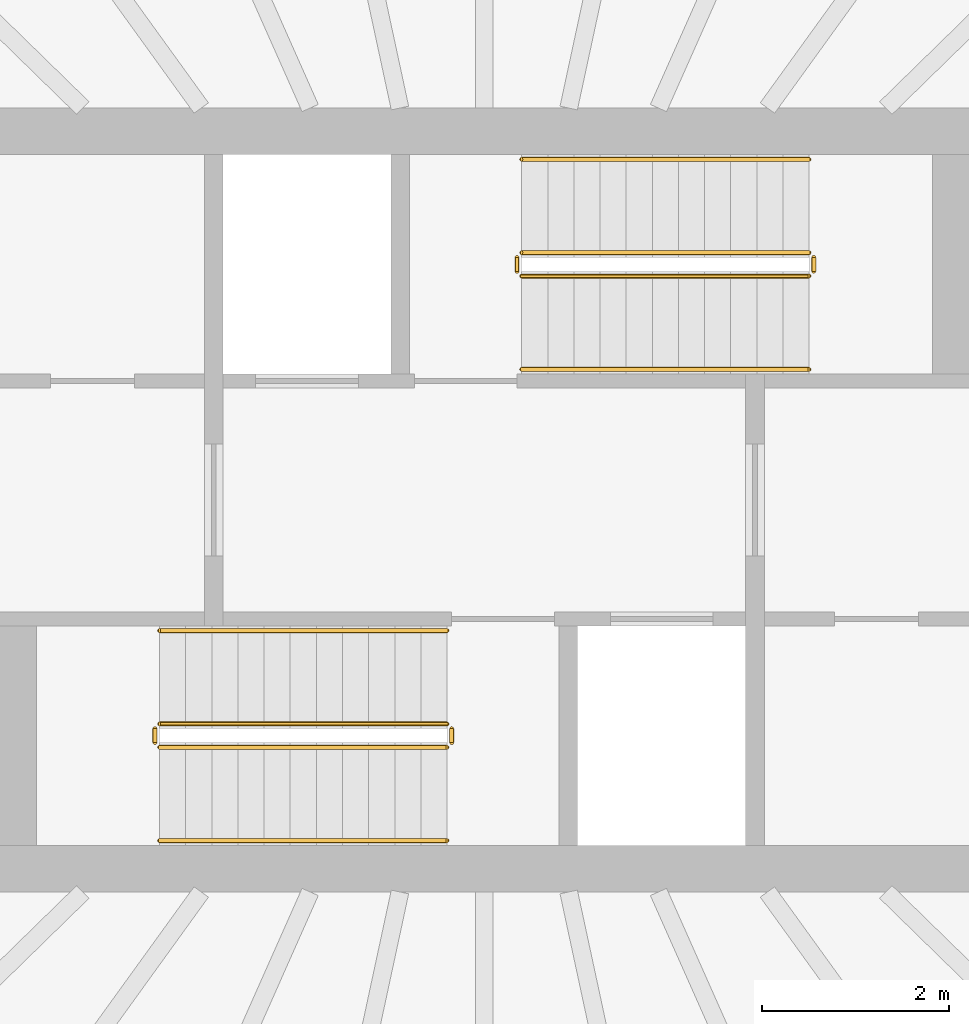
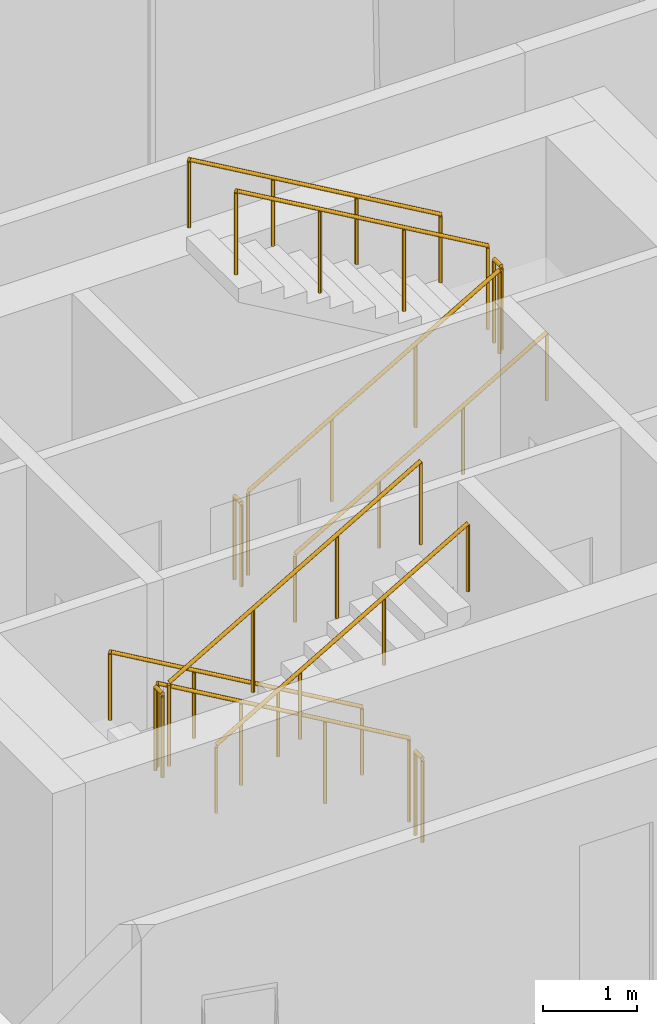
# One storey, part 5 of 5: 12 railings.
"""IFC4 building model written with IfcOpenShell, lengths in metres."""

from ifc_helpers import new_model, si_unit, direction, frame, origin, origin_2d, place, context, subcontext, project, spatial, circle, extrude, material, type_object, element, save


model = new_model("IFC4")

# Units and contexts
model_context = context("Model", 3, precision=1e-05, world=origin(), true_north=direction((0.0, 1.0)))
body_context = subcontext(model_context, "Body", "Model", "MODEL_VIEW")
ifc_project = project(units=[si_unit("LENGTHUNIT", "METRE"), si_unit("AREAUNIT", "SQUARE_METRE"), si_unit("VOLUMEUNIT", "CUBIC_METRE"), si_unit("PLANEANGLEUNIT", "RADIAN"), si_unit("MASSUNIT", "GRAM", prefix="KILO")], contexts=[model_context])

# Site, building, storey
site_placement = place(None, origin())
site = spatial("IfcSite", under=ifc_project, at=site_placement, CompositionType="ELEMENT")
building_placement = place(site_placement, origin())
building = spatial("IfcBuilding", under=site, at=building_placement, Name="Siaravel Broadcast Tower", CompositionType="ELEMENT")
storey_placement = place(building_placement, frame((0.0, 0.0, 284.300048828125)))
storey = spatial("IfcBuildingStorey", under=building, at=storey_placement, Name="L69", CompositionType="ELEMENT", Elevation=284.300048828125)

# Railings
ifc_material = material(Name="Stainless steel 316L", Category="steel")
railing_type_1 = type_object("IfcRailingType", Name="Stair guard 1100", PredefinedType="GUARDRAIL", material=ifc_material)
railing_1_placement = place(storey_placement, frame((0.39990234375, 2.39990234375, 0.162353515625)))
element("IfcRailing", 1, at=railing_1_placement, inside=storey, type_object=railing_type_1, Name="L69 ST-C1 stair guard 1", PredefinedType="GUARDRAIL", context=body_context, shape_type="SweptSolid", body=[
    extrude(circle(Radius=0.02392578125, at=origin_2d()), frame((0.0, 0.0, 1.076171875), z_axis=(0.864890721, 0.0, 0.501960198), x_axis=(0.0, 1.0, 0.0)), (0.0, 0.0, 1.0), 3.561279296875),
    extrude(circle(Radius=0.02099609375, at=origin_2d()), origin(), (0.0, 0.0, 1.0), 1.052001953125),
    extrude(circle(Radius=0.02099609375, at=origin_2d()), frame((1.026611328125, 0.0, 0.595947265625)), (0.0, 0.0, 1.0), 1.052001953125),
    extrude(circle(Radius=0.02099609375, at=origin_2d()), frame((2.053466796875, 0.0, 1.191650390625)), (0.0, 0.0, 1.0), 1.052001953125),
    extrude(circle(Radius=0.02099609375, at=origin_2d()), frame((3.080078125, 0.0, 1.78759765625)), (0.0, 0.0, 1.0), 1.052001953125),
])
railing_2_placement = place(storey_placement, frame((3.530029296875, 2.449951171875, 1.949951171875)))
element("IfcRailing", 2, at=railing_2_placement, inside=storey, type_object=railing_type_1, Name="L69 ST-C1 stair guard 2", PredefinedType="GUARDRAIL", context=body_context, shape_type="SweptSolid", body=[
    extrude(circle(Radius=0.02392578125, at=origin_2d()), frame((0.0, 0.0, 1.076171875), z_axis=(0.0, 1.0, 0.0), x_axis=(-1.0, 0.0, 0.0)), (0.0, 0.0, 1.0), 0.150146484375),
    extrude(circle(Radius=0.02099609375, at=origin_2d()), origin(), (0.0, 0.0, 1.0), 1.052001953125),
    extrude(circle(Radius=0.02099609375, at=origin_2d()), frame((0.0, 0.150146484375, 0.0)), (0.0, 0.0, 1.0), 1.052001953125),
])
railing_3_placement = place(storey_placement, frame((3.47998046875, 2.64990234375, 2.112548828125)))
element("IfcRailing", 3, at=railing_3_placement, inside=storey, type_object=railing_type_1, Name="L69 ST-C1 stair guard 3", PredefinedType="GUARDRAIL", context=body_context, shape_type="SweptSolid", body=[
    extrude(circle(Radius=0.02392578125, at=origin_2d()), frame((0.0, 0.0, 1.076171875), z_axis=(-0.864920483, 0.0, 0.501908914), x_axis=(0.0, -1.0, 0.0)), (0.0, 0.0, 1.0), 3.56103515625),
    extrude(circle(Radius=0.02099609375, at=origin_2d()), origin(), (0.0, 0.0, 1.0), 1.052001953125),
    extrude(circle(Radius=0.02099609375, at=origin_2d()), frame((-1.026611328125, 0.0, 0.595703125)), (0.0, 0.0, 1.0), 1.052001953125),
    extrude(circle(Radius=0.02099609375, at=origin_2d()), frame((-2.053466796875, 0.0, 1.191650390625)), (0.0, 0.0, 1.0), 1.052001953125),
    extrude(circle(Radius=0.02099609375, at=origin_2d()), frame((-3.080078125, 0.0, 1.787353515625)), (0.0, 0.0, 1.0), 1.052001953125),
])
railing_4_placement = place(storey_placement, frame((0.35009765625, 2.449951171875, 0.0)))
element("IfcRailing", 4, at=railing_4_placement, inside=storey, type_object=railing_type_1, Name="L69 ST-C1 stair guard 4", PredefinedType="GUARDRAIL", context=body_context, shape_type="SweptSolid", body=[
    extrude(circle(Radius=0.02392578125, at=origin_2d()), frame((0.0, 0.0, 1.076171875), z_axis=(0.0, 1.0, 0.0), x_axis=(-1.0, 0.0, 0.0)), (0.0, 0.0, 1.0), 0.150146484375),
    extrude(circle(Radius=0.02099609375, at=origin_2d()), origin(), (0.0, 0.0, 1.0), 1.052001953125),
    extrude(circle(Radius=0.02099609375, at=origin_2d()), frame((0.0, 0.150146484375, 0.0)), (0.0, 0.0, 1.0), 1.052001953125),
])
railing_5_placement = place(storey_placement, frame((-0.39990234375, -2.39990234375, 0.162353515625)))
element("IfcRailing", 5, at=railing_5_placement, inside=storey, type_object=railing_type_1, Name="L69 ST-C2 stair guard 1", PredefinedType="GUARDRAIL", context=body_context, shape_type="SweptSolid", body=[
    extrude(circle(Radius=0.02392578125, at=origin_2d()), frame((0.0, 0.0, 1.076171875), z_axis=(-0.864890721, 0.0, 0.501960198), x_axis=(0.0, -1.0, 0.0)), (0.0, 0.0, 1.0), 3.561279296875),
    extrude(circle(Radius=0.02099609375, at=origin_2d()), origin(), (0.0, 0.0, 1.0), 1.052001953125),
    extrude(circle(Radius=0.02099609375, at=origin_2d()), frame((-1.026611328125, 0.0, 0.595947265625)), (0.0, 0.0, 1.0), 1.052001953125),
    extrude(circle(Radius=0.02099609375, at=origin_2d()), frame((-2.053466796875, 0.0, 1.191650390625)), (0.0, 0.0, 1.0), 1.052001953125),
    extrude(circle(Radius=0.02099609375, at=origin_2d()), frame((-3.080078125, 0.0, 1.78759765625)), (0.0, 0.0, 1.0), 1.052001953125),
])
railing_6_placement = place(storey_placement, frame((-3.530029296875, -2.449951171875, 1.949951171875)))
element("IfcRailing", 6, at=railing_6_placement, inside=storey, type_object=railing_type_1, Name="L69 ST-C2 stair guard 2", PredefinedType="GUARDRAIL", context=body_context, shape_type="SweptSolid", body=[
    extrude(circle(Radius=0.02392578125, at=origin_2d()), frame((0.0, 0.0, 1.076171875), z_axis=(0.0, -1.0, 0.0), x_axis=(1.0, 0.0, 0.0)), (0.0, 0.0, 1.0), 0.150146484375),
    extrude(circle(Radius=0.02099609375, at=origin_2d()), origin(), (0.0, 0.0, 1.0), 1.052001953125),
    extrude(circle(Radius=0.02099609375, at=origin_2d()), frame((0.0, -0.150146484375, 0.0)), (0.0, 0.0, 1.0), 1.052001953125),
])
railing_7_placement = place(storey_placement, frame((-3.47998046875, -2.64990234375, 2.112548828125)))
element("IfcRailing", 7, at=railing_7_placement, inside=storey, type_object=railing_type_1, Name="L69 ST-C2 stair guard 3", PredefinedType="GUARDRAIL", context=body_context, shape_type="SweptSolid", body=[
    extrude(circle(Radius=0.02392578125, at=origin_2d()), frame((0.0, 0.0, 1.076171875), z_axis=(0.864920483, 0.0, 0.501908914), x_axis=(0.0, 1.0, 0.0)), (0.0, 0.0, 1.0), 3.56103515625),
    extrude(circle(Radius=0.02099609375, at=origin_2d()), origin(), (0.0, 0.0, 1.0), 1.052001953125),
    extrude(circle(Radius=0.02099609375, at=origin_2d()), frame((1.026611328125, 0.0, 0.595703125)), (0.0, 0.0, 1.0), 1.052001953125),
    extrude(circle(Radius=0.02099609375, at=origin_2d()), frame((2.053466796875, 0.0, 1.191650390625)), (0.0, 0.0, 1.0), 1.052001953125),
    extrude(circle(Radius=0.02099609375, at=origin_2d()), frame((3.080078125, 0.0, 1.787353515625)), (0.0, 0.0, 1.0), 1.052001953125),
])
railing_8_placement = place(storey_placement, frame((-0.35009765625, -2.449951171875, 0.0)))
element("IfcRailing", 8, at=railing_8_placement, inside=storey, type_object=railing_type_1, Name="L69 ST-C2 stair guard 4", PredefinedType="GUARDRAIL", context=body_context, shape_type="SweptSolid", body=[
    extrude(circle(Radius=0.02392578125, at=origin_2d()), frame((0.0, 0.0, 1.076171875), z_axis=(0.0, -1.0, 0.0), x_axis=(1.0, 0.0, 0.0)), (0.0, 0.0, 1.0), 0.150146484375),
    extrude(circle(Radius=0.02099609375, at=origin_2d()), origin(), (0.0, 0.0, 1.0), 1.052001953125),
    extrude(circle(Radius=0.02099609375, at=origin_2d()), frame((0.0, -0.150146484375, 0.0)), (0.0, 0.0, 1.0), 1.052001953125),
])
railing_type_2 = type_object("IfcRailingType", Name="Stair handrail 900", PredefinedType="HANDRAIL", material=ifc_material)
railing_9_placement = place(storey_placement, frame((0.39990234375, 1.39990234375, 0.162353515625)))
element("IfcRailing", 9, at=railing_9_placement, inside=storey, type_object=railing_type_2, Name="L69 ST-C1 stair handrail 1", PredefinedType="HANDRAIL", context=body_context, shape_type="SweptSolid", body=[
    extrude(circle(Radius=0.02392578125, at=origin_2d()), frame((0.0, 0.0, 0.8759765625), z_axis=(0.864890721, 0.0, 0.501960198), x_axis=(0.0, 1.0, 0.0)), (0.0, 0.0, 1.0), 3.561279296875),
    extrude(circle(Radius=0.02099609375, at=origin_2d()), origin(), (0.0, 0.0, 1.0), 0.851806640625),
    extrude(circle(Radius=0.02099609375, at=origin_2d()), frame((1.026611328125, 0.0, 0.595947265625)), (0.0, 0.0, 1.0), 0.851806640625),
    extrude(circle(Radius=0.02099609375, at=origin_2d()), frame((2.053466796875, 0.0, 1.191650390625)), (0.0, 0.0, 1.0), 0.851806640625),
    extrude(circle(Radius=0.02099609375, at=origin_2d()), frame((3.080078125, 0.0, 1.78759765625)), (0.0, 0.0, 1.0), 0.851806640625),
])
railing_10_placement = place(storey_placement, frame((3.47998046875, 3.64990234375, 2.112548828125)))
element("IfcRailing", 10, at=railing_10_placement, inside=storey, type_object=railing_type_2, Name="L69 ST-C1 stair handrail 2", PredefinedType="HANDRAIL", context=body_context, shape_type="SweptSolid", body=[
    extrude(circle(Radius=0.02392578125, at=origin_2d()), frame((0.0, 0.0, 0.8759765625), z_axis=(-0.864920483, 0.0, 0.501908914), x_axis=(0.0, -1.0, 0.0)), (0.0, 0.0, 1.0), 3.56103515625),
    extrude(circle(Radius=0.02099609375, at=origin_2d()), origin(), (0.0, 0.0, 1.0), 0.851806640625),
    extrude(circle(Radius=0.02099609375, at=origin_2d()), frame((-1.026611328125, 0.0, 0.595703125)), (0.0, 0.0, 1.0), 0.851806640625),
    extrude(circle(Radius=0.02099609375, at=origin_2d()), frame((-2.053466796875, 0.0, 1.191650390625)), (0.0, 0.0, 1.0), 0.851806640625),
    extrude(circle(Radius=0.02099609375, at=origin_2d()), frame((-3.080078125, 0.0, 1.787353515625)), (0.0, 0.0, 1.0), 0.851806640625),
])
railing_11_placement = place(storey_placement, frame((-0.39990234375, -1.39990234375, 0.162353515625)))
element("IfcRailing", 11, at=railing_11_placement, inside=storey, type_object=railing_type_2, Name="L69 ST-C2 stair handrail 1", PredefinedType="HANDRAIL", context=body_context, shape_type="SweptSolid", body=[
    extrude(circle(Radius=0.02392578125, at=origin_2d()), frame((0.0, 0.0, 0.8759765625), z_axis=(-0.864890721, 0.0, 0.501960198), x_axis=(0.0, -1.0, 0.0)), (0.0, 0.0, 1.0), 3.561279296875),
    extrude(circle(Radius=0.02099609375, at=origin_2d()), origin(), (0.0, 0.0, 1.0), 0.851806640625),
    extrude(circle(Radius=0.02099609375, at=origin_2d()), frame((-1.026611328125, 0.0, 0.595947265625)), (0.0, 0.0, 1.0), 0.851806640625),
    extrude(circle(Radius=0.02099609375, at=origin_2d()), frame((-2.053466796875, 0.0, 1.191650390625)), (0.0, 0.0, 1.0), 0.851806640625),
    extrude(circle(Radius=0.02099609375, at=origin_2d()), frame((-3.080078125, 0.0, 1.78759765625)), (0.0, 0.0, 1.0), 0.851806640625),
])
railing_12_placement = place(storey_placement, frame((-3.47998046875, -3.64990234375, 2.112548828125)))
element("IfcRailing", 12, at=railing_12_placement, inside=storey, type_object=railing_type_2, Name="L69 ST-C2 stair handrail 2", PredefinedType="HANDRAIL", context=body_context, shape_type="SweptSolid", body=[
    extrude(circle(Radius=0.02392578125, at=origin_2d()), frame((0.0, 0.0, 0.8759765625), z_axis=(0.864920483, 0.0, 0.501908914), x_axis=(0.0, 1.0, 0.0)), (0.0, 0.0, 1.0), 3.56103515625),
    extrude(circle(Radius=0.02099609375, at=origin_2d()), origin(), (0.0, 0.0, 1.0), 0.851806640625),
    extrude(circle(Radius=0.02099609375, at=origin_2d()), frame((1.026611328125, 0.0, 0.595703125)), (0.0, 0.0, 1.0), 0.851806640625),
    extrude(circle(Radius=0.02099609375, at=origin_2d()), frame((2.053466796875, 0.0, 1.191650390625)), (0.0, 0.0, 1.0), 0.851806640625),
    extrude(circle(Radius=0.02099609375, at=origin_2d()), frame((3.080078125, 0.0, 1.787353515625)), (0.0, 0.0, 1.0), 0.851806640625),
])

save(model, "model.ifc")
